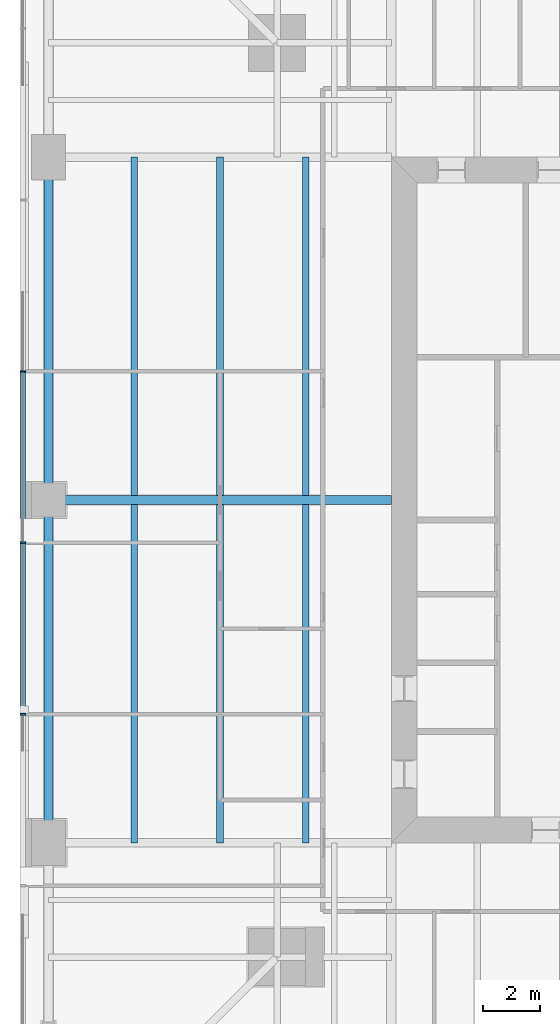
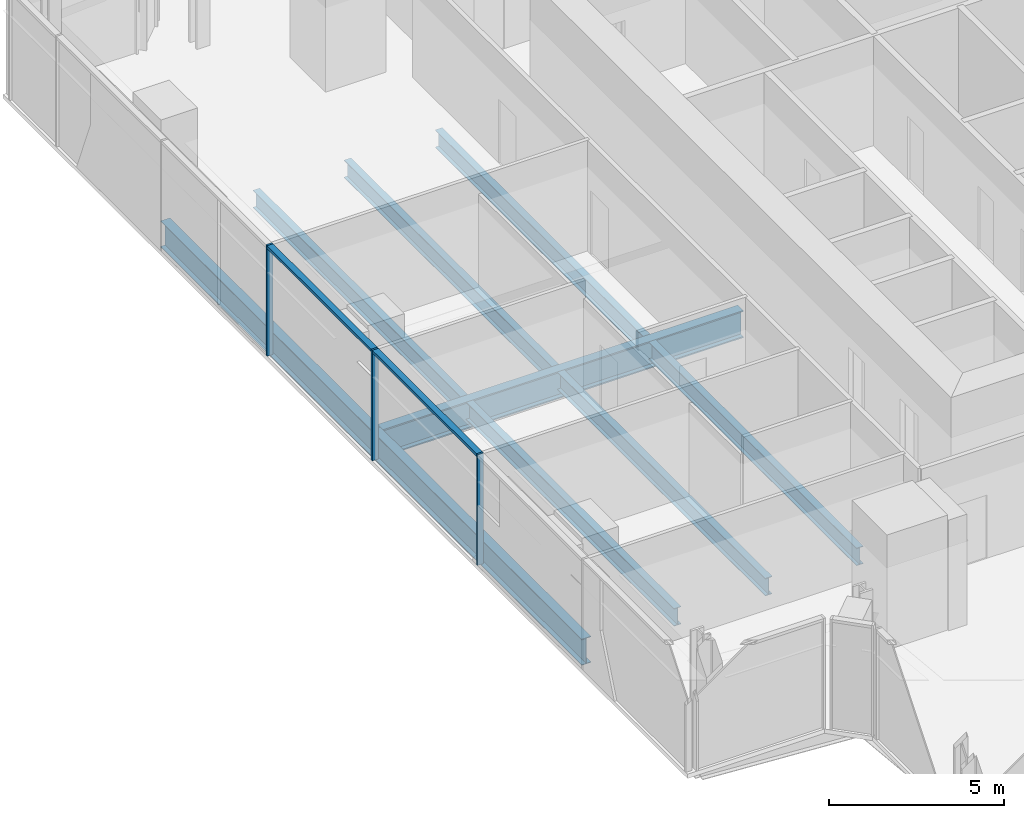
# One storey, part 4 of 14: 9 beams, 5 members, 1 element without a shape of its own.
"""IFC4 building model written with IfcOpenShell, lengths in metres."""

from ifc_helpers import new_model, si_unit, direction, frame, origin, origin_2d, place, context, subcontext, project, spatial, rectangle, i_section, extrude, material, material_profile, profile_set, type_object, element, aggregate, save


model = new_model("IFC4")

# Units and contexts
model_context = context("Model", 3, precision=1e-05, world=origin(), true_north=direction((0.0, 1.0)))
body_context = subcontext(model_context, "Body", "Model", "MODEL_VIEW")
ifc_project = project(units=[si_unit("LENGTHUNIT", "METRE"), si_unit("AREAUNIT", "SQUARE_METRE"), si_unit("VOLUMEUNIT", "CUBIC_METRE"), si_unit("PLANEANGLEUNIT", "RADIAN"), si_unit("MASSUNIT", "GRAM", prefix="KILO")], contexts=[model_context])

# Site, building, storey
site_placement = place(None, origin())
site = spatial("IfcSite", under=ifc_project, at=site_placement, CompositionType="ELEMENT")
building_placement = place(site_placement, origin())
building = spatial("IfcBuilding", under=site, at=building_placement, Name="Fenwick Lantern Interchange", CompositionType="ELEMENT")
storey_placement = place(building_placement, frame((0.0, 0.0, 197.800048828125)))
storey = spatial("IfcBuildingStorey", under=building, at=storey_placement, Name="L46", CompositionType="ELEMENT", Elevation=197.800048828125)

# Beams
ifc_material_1 = material(Name="Steel ASTM A992 Grade 50", Category="steel")
ifc_material_profile_1 = material_profile(ifc_material_1, i_section(OverallWidth=0.3046875, OverallDepth=0.911865234375, WebThickness=0.015869140625, FlangeThickness=0.02392578125, at=origin_2d()), Name="W36X150")
ifc_profile_set_1 = profile_set([ifc_material_profile_1], Name="Steel ASTM A992 Grade 50")
beam_type_1 = type_object("IfcBeamType", Name="EDGE BEAM W36X150", PredefinedType="SPANDREL", material=ifc_profile_set_1)
for number, where, z_axis, x_axis, name in (
    (1, (1.0, 37.0, -0.60595703125), (0.0, -1.0, 0.0), (1.0, 0.0, 0.0), "L46/FR/W/EB2"),
    (2, (1.0, 25.0, -0.60595703125), (0.0, -1.0, 0.0), (1.0, 0.0, 0.0), "L46/FR/W/EB3"),
):
    element("IfcBeam", number, at=place(storey_placement, frame(where, z_axis=z_axis, x_axis=x_axis)), inside=storey, type_object=beam_type_1, Name=name, PredefinedType="SPANDREL", context=body_context, shape_type="SweptSolid", body=[
        extrude(i_section(OverallWidth=0.3046875, OverallDepth=0.911865234375, WebThickness=0.015869140625, FlangeThickness=0.02392578125, at=origin_2d()), origin(), (0.0, 0.0, 1.0), 12.0),
    ])
ifc_material_profile_2 = material_profile(ifc_material_1, i_section(OverallWidth=0.22900390625, OverallDepth=0.612060546875, WebThickness=0.011962890625, FlangeThickness=0.01953125, at=origin_2d()), Name="W24X84")
ifc_profile_set_2 = profile_set([ifc_material_profile_2], Name="Steel ASTM A992 Grade 50")
beam_type_2 = type_object("IfcBeamType", Name="FLOOR BEAM W24X84", PredefinedType="BEAM", material=ifc_profile_set_2)
for number, where, z_axis, x_axis, name in (
    (3, (4.0, 37.0, -0.4560546875), (0.0, -1.0, 0.0), (1.0, 0.0, 0.0), "L46/FR/W/B01"),
    (4, (7.0, 37.0, -0.4560546875), (0.0, -1.0, 0.0), (1.0, 0.0, 0.0), "L46/FR/W/B02"),
    (5, (10.0, 37.0, -0.4560546875), (0.0, -1.0, 0.0), (1.0, 0.0, 0.0), "L46/FR/W/B03"),
    (6, (4.0, 24.844970703125, -0.4560546875), (0.0, -1.0, 0.0), (1.0, 0.0, 0.0), "L46/FR/W/B04"),
    (7, (7.0, 24.844970703125, -0.4560546875), (0.0, -1.0, 0.0), (1.0, 0.0, 0.0), "L46/FR/W/B05"),
    (8, (10.0, 24.844970703125, -0.4560546875), (0.0, -1.0, 0.0), (1.0, 0.0, 0.0), "L46/FR/W/B06"),
):
    element("IfcBeam", number, at=place(storey_placement, frame(where, z_axis=z_axis, x_axis=x_axis)), inside=storey, type_object=beam_type_2, Name=name, PredefinedType="BEAM", context=body_context, shape_type="SweptSolid", body=[
        extrude(i_section(OverallWidth=0.22900390625, OverallDepth=0.612060546875, WebThickness=0.011962890625, FlangeThickness=0.01953125, at=origin_2d()), origin(), (0.0, 0.0, 1.0), 11.844970703125),
    ])
ifc_material_profile_3 = material_profile(ifc_material_1, i_section(OverallWidth=0.309814453125, OverallDepth=0.949951171875, WebThickness=0.0244140625, FlangeThickness=0.0439453125, at=origin_2d()), Name="W36X256")
ifc_profile_set_3 = profile_set([ifc_material_profile_3], Name="Steel ASTM A992 Grade 50")
beam_type_3 = type_object("IfcBeamType", Name="MOMENT-CONNECTED GIRDER W36X256", PredefinedType="BEAM", material=ifc_profile_set_3)
beam_placement = place(storey_placement, frame((1.0, 25.0, -0.625), z_axis=(1.0, 0.0, 0.0), x_axis=(0.0, 1.0, 0.0)))
element("IfcBeam", 9, at=beam_placement, inside=storey, type_object=beam_type_3, Name="L46/FR/W/R02", PredefinedType="BEAM", context=body_context, shape_type="SweptSolid", body=[
    extrude(i_section(OverallWidth=0.309814453125, OverallDepth=0.949951171875, WebThickness=0.0244140625, FlangeThickness=0.0439453125, at=origin_2d()), origin(), (0.0, 0.0, 1.0), 12.0),
])

# Curtain wall, members
ifc_material_2 = material(Name="Aluminium curtain wall frame", Category="aluminium")
curtain_wall_type = type_object("IfcCurtainWallType", Name="OFFICE CURTAIN WALL", PredefinedType="USERDEFINED", material=ifc_material_2)
curtain_wall_placement = place(storey_placement, origin())
curtain_wall = element("IfcCurtainWall", 10, at=curtain_wall_placement, inside=storey, type_object=curtain_wall_type, Name="Office curtain wall 13", ObjectType="OFFICE CURTAIN WALL", PredefinedType="USERDEFINED")
ifc_material_3 = material(Name="Aluminium extrusion", Category="aluminium")
ifc_material_profile_4 = material_profile(ifc_material_3, rectangle(XDim=0.199951171875, YDim=0.06494140625, at=origin_2d()), Name="OFFICE CURTAIN WALL MULLION 65 X 200")
ifc_profile_set_4 = profile_set([ifc_material_profile_4], Name="Aluminium extrusion")
member_type_1 = type_object("IfcMemberType", Name="OFFICE CURTAIN WALL MULLION 65 X 200", PredefinedType="MULLION", material=ifc_profile_set_4)
member_1_placement = place(storey_placement, frame((0.10009765625, 29.5, 0.0), z_axis=(0.0, 0.0, 1.0), x_axis=(1.0, 0.0, 0.0)))
member_1 = element("IfcMember", 11, at=member_1_placement, type_object=member_type_1, Name="L46/CW/13/M03", PredefinedType="MULLION", context=body_context, shape_type="SweptSolid", body=[
    extrude(rectangle(XDim=0.199951171875, YDim=0.06494140625, at=origin_2d()), origin(), (0.0, 0.0, 1.0), 3.849853515625),
])
member_2_placement = place(storey_placement, frame((0.10009765625, 23.5, 0.0), z_axis=(0.0, 0.0, 1.0), x_axis=(1.0, 0.0, 0.0)))
member_2 = element("IfcMember", 12, at=member_2_placement, type_object=member_type_1, Name="L46/CW/13/M04", PredefinedType="MULLION", context=body_context, shape_type="SweptSolid", body=[
    extrude(rectangle(XDim=0.199951171875, YDim=0.06494140625, at=origin_2d()), origin(), (0.0, 0.0, 1.0), 3.849853515625),
])
member_3_placement = place(storey_placement, frame((0.10009765625, 17.5, 0.0), z_axis=(0.0, 0.0, 1.0), x_axis=(1.0, 0.0, 0.0)))
member_3 = element("IfcMember", 13, at=member_3_placement, type_object=member_type_1, Name="L46/CW/13/M05", PredefinedType="MULLION", context=body_context, shape_type="SweptSolid", body=[
    extrude(rectangle(XDim=0.199951171875, YDim=0.06494140625, at=origin_2d()), origin(), (0.0, 0.0, 1.0), 3.849853515625),
])
ifc_material_profile_5 = material_profile(ifc_material_3, rectangle(XDim=0.199951171875, YDim=0.10009765625, at=origin_2d()), Name="OFFICE CURTAIN WALL TRANSOM 100 X 200")
ifc_profile_set_5 = profile_set([ifc_material_profile_5], Name="Aluminium extrusion")
member_type_2 = type_object("IfcMemberType", Name="OFFICE CURTAIN WALL TRANSOM 100 X 200", PredefinedType="MULLION", material=ifc_profile_set_5)
member_4_placement = place(storey_placement, frame((0.10009765625, 29.467529296875, 3.800048828125), z_axis=(0.0, -1.0, 0.0), x_axis=(1.0, 0.0, 0.0)))
member_4 = element("IfcMember", 14, at=member_4_placement, type_object=member_type_2, Name="L46/CW/13/T03", PredefinedType="MULLION", context=body_context, shape_type="SweptSolid", body=[
    extrude(rectangle(XDim=0.199951171875, YDim=0.10009765625, at=origin_2d()), origin(), (0.0, 0.0, 1.0), 5.93505859375),
])
member_5_placement = place(storey_placement, frame((0.10009765625, 23.467529296875, 3.800048828125), z_axis=(0.0, -1.0, 0.0), x_axis=(1.0, 0.0, 0.0)))
member_5 = element("IfcMember", 15, at=member_5_placement, type_object=member_type_2, Name="L46/CW/13/T04", PredefinedType="MULLION", context=body_context, shape_type="SweptSolid", body=[
    extrude(rectangle(XDim=0.199951171875, YDim=0.10009765625, at=origin_2d()), origin(), (0.0, 0.0, 1.0), 5.93505859375),
])
aggregate(curtain_wall, [member_1, member_2, member_3, member_4, member_5])

save(model, "model.ifc")
